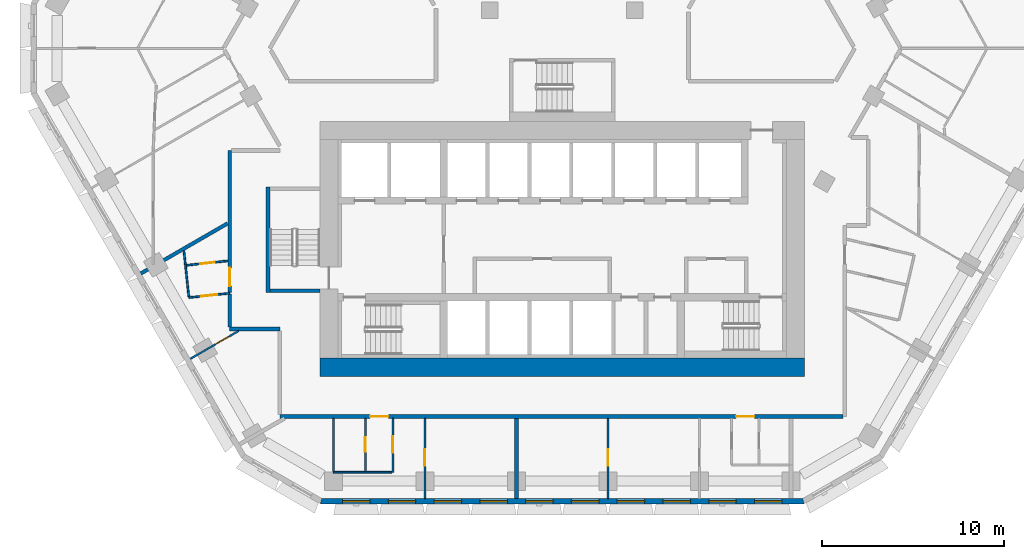
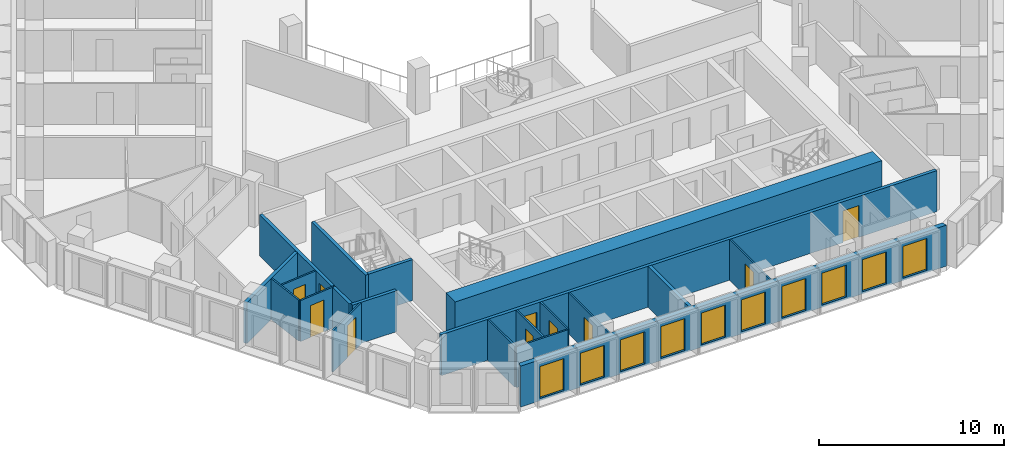
# One storey, part 3 of 18: 20 walls, 10 doors, 10 windows, 20 openings.
"""IFC4 building model written with IfcOpenShell, lengths in metres."""

import ifcopenshell
import ifcopenshell.guid

model = None  # the IFC model being written
_history = None  # IfcOwnerHistory: only IFC2X3 demands one
_inside = {}  # id of a spatial element -> (the spatial element, [elements in it])
_under = {}  # id of a project, library or spatial element -> (it, [spatial elements below it])
_declared = {}  # id of a project -> (the project, [libraries it declares])
_typed = {}  # id of a type object -> (the type object, [elements of that type])
_made_of = {}  # id of a material, layer set ... -> (it, [elements and type objects made of it])


def new_model(schema):
    """Start an empty IFC model of exactly this schema.

    Asked for "IFC4X3", IfcOpenShell would pick the latest addendum, in which some entities
    have other attributes; the version numbers below select the first issue.
    IFC2X3 requires an IfcOwnerHistory on every rooted entity: one is made here for all.
    """
    global model, _history
    if schema == "IFC4X3":
        model = ifcopenshell.file(schema_version=(4, 3, 0, 0))
    else:
        model = ifcopenshell.file(schema=schema)
    _inside.clear()
    _under.clear()
    _declared.clear()
    _typed.clear()
    _made_of.clear()
    _history = None
    if model.schema == "IFC2X3":
        org = make("IfcOrganization", Name="unknown")
        user = make(
            "IfcPersonAndOrganization",
            ThePerson=make("IfcPerson", FamilyName="unknown"),
            TheOrganization=org,
        )
        app = make(
            "IfcApplication",
            ApplicationDeveloper=org,
            Version="unknown",
            ApplicationFullName="unknown",
            ApplicationIdentifier="unknown",
        )
        _history = make(
            "IfcOwnerHistory",
            OwningUser=user,
            OwningApplication=app,
            ChangeAction="ADDED",
            CreationDate=0,
        )
    return model


def make(cls, **values):
    """One entity of the class cls with the attributes given. An attribute that is None is left unset."""
    return model.create_entity(
        cls, **{name: value for name, value in values.items() if value is not None}
    )


def rooted(cls, **values):
    """An entity with a GlobalId (a new one), such as an element, a storey or a relation."""
    return make(cls, GlobalId=ifcopenshell.guid.new(), OwnerHistory=_history, **values)


def si_unit(unit_type, name, prefix=None):
    """IfcSIUnit, for example si_unit("LENGTHUNIT", "METRE", prefix="MILLI")."""
    return make("IfcSIUnit", UnitType=unit_type, Prefix=prefix, Name=name)


def assignment(units):
    """IfcUnitAssignment: the units of a project."""
    return None if units is None else make("IfcUnitAssignment", Units=units)


def point(xyz):
    """IfcCartesianPoint."""
    return None if xyz is None else make("IfcCartesianPoint", Coordinates=xyz)


def direction(xyz):
    """IfcDirection."""
    return None if xyz is None else make("IfcDirection", DirectionRatios=xyz)


def frame(location, z_axis=None, x_axis=None):
    """IfcAxis2Placement3D, a coordinate frame: its origin and axes. An axis left out is left unset."""
    return make(
        "IfcAxis2Placement3D",
        Location=point(location),
        Axis=direction(z_axis),
        RefDirection=direction(x_axis),
    )


def frame_2d(location, x_axis=None):
    """IfcAxis2Placement2D, a coordinate frame in the plane: its origin and x axis."""
    return make(
        "IfcAxis2Placement2D", Location=point(location), RefDirection=direction(x_axis)
    )


def origin():
    """The frame at (0, 0, 0) with its axes left unset."""
    return frame((0.0, 0.0, 0.0))


def place(relative_to, where):
    """IfcLocalPlacement: puts the frame where relative to a parent placement (None: the world)."""
    return make(
        "IfcLocalPlacement", PlacementRelTo=relative_to, RelativePlacement=where
    )


def context(
    kind, dimensions, precision=None, world=None, true_north=None, identifier=None
):
    """IfcGeometricRepresentationContext, for example the 3D "Model" context."""
    return make(
        "IfcGeometricRepresentationContext",
        ContextIdentifier=identifier,
        ContextType=kind,
        CoordinateSpaceDimension=dimensions,
        Precision=precision,
        WorldCoordinateSystem=world,
        TrueNorth=true_north,
    )


def subcontext(parent, identifier, kind, view, scale=None):
    """IfcGeometricRepresentationSubContext, for example "Body" below "Model"."""
    return make(
        "IfcGeometricRepresentationSubContext",
        ContextIdentifier=identifier,
        ContextType=kind,
        ParentContext=parent,
        TargetScale=scale,
        TargetView=view,
    )


def project(units=None, contexts=None):
    """IfcProject with its units and contexts."""
    return rooted(
        "IfcProject",
        Name="project",
        RepresentationContexts=contexts,
        UnitsInContext=assignment(units),
    )


def spatial(cls, under=None, at=None, **own):
    """A site, building, storey or space (cls), placed at a placement, below another one or the project."""
    s = rooted(cls, ObjectPlacement=at, **own)
    if under is not None:
        _under.setdefault(under.id(), (under, []))[1].append(s)
    return s


def polyline(points):
    """IfcPolyline through the points."""
    return make("IfcPolyline", Points=[point(p) for p in points])


def profile(cls, at=None, kind="AREA", **sizes):
    """A parametric profile (cls). Its sizes go by their IFC names, for example OverallWidth=200.0."""
    return make(cls, ProfileType=kind, Position=at, **sizes)


def rectangle(**sizes):
    """IfcRectangleProfileDef."""
    return profile("IfcRectangleProfileDef", **sizes)


def outline(outer, holes=None, kind="AREA"):
    """IfcArbitraryClosedProfileDef: a profile drawn as a closed curve; with holes, ...WithVoids."""
    if holes is None:
        return make("IfcArbitraryClosedProfileDef", ProfileType=kind, OuterCurve=outer)
    return make(
        "IfcArbitraryProfileDefWithVoids",
        ProfileType=kind,
        OuterCurve=outer,
        InnerCurves=holes,
    )


def extrude(swept, where, along, depth):
    """IfcExtrudedAreaSolid: the profile swept, set in the frame where, extruded along a direction by depth."""
    return make(
        "IfcExtrudedAreaSolid",
        SweptArea=swept,
        Position=where,
        ExtrudedDirection=direction(along),
        Depth=depth,
    )


def shape(context_of_items, identifier, shape_type, items):
    """IfcShapeRepresentation: the items that make up one representation, for example the "Body"."""
    return make(
        "IfcShapeRepresentation",
        ContextOfItems=context_of_items,
        RepresentationIdentifier=identifier,
        RepresentationType=shape_type,
        Items=items,
    )


def material(Name=None, Category=None):
    """IfcMaterial."""
    return make("IfcMaterial", Name=Name, Category=Category)


def layer(
    of_material, thickness, ventilated=None, Name=None, Category=None, Priority=None
):
    """IfcMaterialLayer: one layer of a wall or slab, of a material (None: an air gap)."""
    return make(
        "IfcMaterialLayer",
        Material=of_material,
        LayerThickness=thickness,
        IsVentilated=ventilated,
        Name=Name,
        Category=Category,
        Priority=Priority,
    )


def layer_set(layers, Name=None):
    """IfcMaterialLayerSet."""
    return make("IfcMaterialLayerSet", MaterialLayers=layers, LayerSetName=Name)


def made_of(thing, what):
    """Note that an element or type object is made of a material, layer set ...; save() writes the relation."""
    if what is not None:
        _made_of.setdefault(what.id(), (what, []))[1].append(thing)
    return thing


def type_object(cls, material=None, **own):
    """A type object (cls), such as IfcWallType, which elements share."""
    return made_of(rooted(cls, **own), material)


def element(
    cls,
    number,
    at=None,
    inside=None,
    cuts=None,
    type_object=None,
    material=None,
    context=None,
    identifier="Body",
    shape_type=None,
    held_by="IfcProductDefinitionShape",
    body=None,
    shapes=None,
    **own,
):
    """One element of the class cls, such as IfcWall. Its Tag is "e" and its number.

    at: its placement. inside: the storey or other place that contains it. cuts: it is an
    opening in that element (IfcRelVoidsElement). A single representation is given by context,
    identifier, shape_type and body (its items); several are given by shapes. held_by: the class
    of the entity that holds the representations. save() writes the other relations.
    """
    e = rooted(cls, Tag="e%d" % number, ObjectPlacement=at, **own)
    if body is not None:
        shapes = [shape(context, identifier, shape_type, body)]
    if shapes is not None:
        e.Representation = make(held_by, Representations=shapes)
    if inside is not None:
        _inside.setdefault(inside.id(), (inside, []))[1].append(e)
    if cuts is not None:
        rooted(
            "IfcRelVoidsElement", RelatingBuildingElement=cuts, RelatedOpeningElement=e
        )
    if type_object is not None:
        _typed.setdefault(type_object.id(), (type_object, []))[1].append(e)
    return made_of(e, material)


def fill(opening, filler):
    """IfcRelFillsElement: the door or window that sits in an opening."""
    return rooted(
        "IfcRelFillsElement",
        RelatingOpeningElement=opening,
        RelatedBuildingElement=filler,
    )


def aggregate(whole, parts):
    """IfcRelAggregates: a whole, such as a stair, and the parts it consists of."""
    return rooted("IfcRelAggregates", RelatingObject=whole, RelatedObjects=parts)


def save(model, path):
    """Write the relations noted so far, then the file.

    IfcRelAggregates (storeys below a building ...), IfcRelContainedInSpatialStructure (elements
    in a storey), IfcRelDefinesByType, IfcRelAssociatesMaterial and IfcRelDeclares: one each for
    every whole, place, type object, material and project.
    """
    for whole, parts in _under.values():
        aggregate(whole, parts)
    for where, things in _inside.values():
        rooted(
            "IfcRelContainedInSpatialStructure",
            RelatedElements=things,
            RelatingStructure=where,
        )
    for kind, things in _typed.values():
        rooted("IfcRelDefinesByType", RelatedObjects=things, RelatingType=kind)
    for what, things in _made_of.values():
        rooted("IfcRelAssociatesMaterial", RelatedObjects=things, RelatingMaterial=what)
    for by, libraries in _declared.values():
        rooted("IfcRelDeclares", RelatingContext=by, RelatedDefinitions=libraries)
    model.write(path)


model = new_model("IFC4")

# Units and contexts
model_context = context("Model", 3, precision=1e-05, world=origin(), true_north=direction((0.0, 1.0)))
body_context = subcontext(model_context, "Body", "Model", "MODEL_VIEW")
ifc_project = project(units=[si_unit("LENGTHUNIT", "METRE"), si_unit("AREAUNIT", "SQUARE_METRE"), si_unit("VOLUMEUNIT", "CUBIC_METRE"), si_unit("PLANEANGLEUNIT", "RADIAN"), si_unit("MASSUNIT", "GRAM", prefix="KILO")], contexts=[model_context])

# Site, building, storey
site_placement = place(None, origin())
site = spatial("IfcSite", under=ifc_project, at=site_placement, CompositionType="ELEMENT")
building_placement = place(site_placement, origin())
building = spatial("IfcBuilding", under=site, at=building_placement, Name="Beryl Residences", CompositionType="ELEMENT")
storey_placement = place(building_placement, frame((0.0, 0.0, 81.0)))
storey = spatial("IfcBuildingStorey", under=building, at=storey_placement, Name="L24", CompositionType="ELEMENT", Elevation=81.0)

# Wall, openings, windows
ifc_material_1 = material(Name="Composite metal panel with mineral wool insulation")
ifc_layer_1 = layer(ifc_material_1, 0.300048828125)
ifc_layer_set_1 = layer_set([ifc_layer_1], Name="ES1 pale metal composite panel wall 300 mm")
wall_type_1 = type_object("IfcWallType", Name="ES1 pale metal composite panel wall 300 mm", PredefinedType="SOLIDWALL", material=ifc_layer_set_1)
wall_1_placement = place(storey_placement, frame((-13.279052734375, -25.85009765625, 0.0), z_axis=(0.0, 0.0, 1.0), x_axis=(1.0, 0.0, 0.0)))
wall_1 = element("IfcWall", 1, at=wall_1_placement, inside=storey, type_object=wall_type_1, Name="ES1 external wall L24 S", PredefinedType="SOLIDWALL", context=body_context, shape_type="SweptSolid", body=[
    extrude(outline(polyline([(0.0, -0.14990234375), (26.55810546875, -0.14990234375), (26.477783203125, 0.14990234375), (0.080322265625, 0.14990234375), (0.0, -0.14990234375)])), origin(), (0.0, 0.0, 1.0), 2.699951171875),
])
opening_1_placement = place(wall_1_placement, frame((1.22802734375, 0.0, 0.14990234375)))
opening_1 = element("IfcOpeningElement", 2, at=opening_1_placement, cuts=wall_1, Name="Opening W1", PredefinedType="OPENING", context=body_context, shape_type="SweptSolid", body=[
    extrude(rectangle(XDim=1.5, YDim=2.10009765625, at=frame_2d((0.75, 1.050048828125))), frame((0.0, 0.159912109375, 0.0), z_axis=(0.0, -1.0, 0.0), x_axis=(1.0, 0.0, 0.0)), (0.0, 0.0, 1.0), 0.320068359375),
])
opening_2_placement = place(wall_1_placement, frame((3.739013671875, 0.0, 0.14990234375)))
opening_2 = element("IfcOpeningElement", 3, at=opening_2_placement, cuts=wall_1, Name="Opening W1", PredefinedType="OPENING", context=body_context, shape_type="SweptSolid", body=[
    extrude(rectangle(XDim=1.5, YDim=2.10009765625, at=frame_2d((0.75, 1.050048828125))), frame((0.0, 0.159912109375, 0.0), z_axis=(0.0, -1.0, 0.0), x_axis=(1.0, 0.0, 0.0)), (0.0, 0.0, 1.0), 0.320068359375),
])
opening_3_placement = place(wall_1_placement, frame((6.2509765625, 0.0, 0.14990234375)))
opening_3 = element("IfcOpeningElement", 4, at=opening_3_placement, cuts=wall_1, Name="Opening W1", PredefinedType="OPENING", context=body_context, shape_type="SweptSolid", body=[
    extrude(rectangle(XDim=1.5, YDim=2.10009765625, at=frame_2d((0.75, 1.050048828125))), frame((0.0, 0.159912109375, 0.0), z_axis=(0.0, -1.0, 0.0), x_axis=(1.0, 0.0, 0.0)), (0.0, 0.0, 1.0), 0.320068359375),
])
opening_4_placement = place(wall_1_placement, frame((8.761962890625, 0.0, 0.14990234375)))
opening_4 = element("IfcOpeningElement", 5, at=opening_4_placement, cuts=wall_1, Name="Opening W1", PredefinedType="OPENING", context=body_context, shape_type="SweptSolid", body=[
    extrude(rectangle(XDim=1.5, YDim=2.10009765625, at=frame_2d((0.75, 1.050048828125))), frame((0.0, 0.159912109375, 0.0), z_axis=(0.0, -1.0, 0.0), x_axis=(1.0, 0.0, 0.0)), (0.0, 0.0, 1.0), 0.320068359375),
])
opening_5_placement = place(wall_1_placement, frame((11.27392578125, 0.0, 0.14990234375)))
opening_5 = element("IfcOpeningElement", 6, at=opening_5_placement, cuts=wall_1, Name="Opening W1", PredefinedType="OPENING", context=body_context, shape_type="SweptSolid", body=[
    extrude(rectangle(XDim=1.5, YDim=2.10009765625, at=frame_2d((0.75, 1.050048828125))), frame((0.0, 0.159912109375, 0.0), z_axis=(0.0, -1.0, 0.0), x_axis=(1.0, 0.0, 0.0)), (0.0, 0.0, 1.0), 0.320068359375),
])
opening_6_placement = place(wall_1_placement, frame((13.784912109375, 0.0, 0.14990234375)))
opening_6 = element("IfcOpeningElement", 7, at=opening_6_placement, cuts=wall_1, Name="Opening W1", PredefinedType="OPENING", context=body_context, shape_type="SweptSolid", body=[
    extrude(rectangle(XDim=1.5, YDim=2.10009765625, at=frame_2d((0.75, 1.050048828125))), frame((0.0, 0.159912109375, 0.0), z_axis=(0.0, -1.0, 0.0), x_axis=(1.0, 0.0, 0.0)), (0.0, 0.0, 1.0), 0.320068359375),
])
opening_7_placement = place(wall_1_placement, frame((16.297119140625, 0.0, 0.14990234375)))
opening_7 = element("IfcOpeningElement", 8, at=opening_7_placement, cuts=wall_1, Name="Opening W1", PredefinedType="OPENING", context=body_context, shape_type="SweptSolid", body=[
    extrude(rectangle(XDim=1.5, YDim=2.10009765625, at=frame_2d((0.75, 1.050048828125))), frame((0.0, 0.159912109375, 0.0), z_axis=(0.0, -1.0, 0.0), x_axis=(1.0, 0.0, 0.0)), (0.0, 0.0, 1.0), 0.320068359375),
])
opening_8_placement = place(wall_1_placement, frame((18.80810546875, 0.0, 0.14990234375)))
opening_8 = element("IfcOpeningElement", 9, at=opening_8_placement, cuts=wall_1, Name="Opening W1", PredefinedType="OPENING", context=body_context, shape_type="SweptSolid", body=[
    extrude(rectangle(XDim=1.5, YDim=2.10009765625, at=frame_2d((0.75, 1.050048828125))), frame((0.0, 0.159912109375, 0.0), z_axis=(0.0, -1.0, 0.0), x_axis=(1.0, 0.0, 0.0)), (0.0, 0.0, 1.0), 0.320068359375),
])
opening_9_placement = place(wall_1_placement, frame((21.320068359375, 0.0, 0.14990234375)))
opening_9 = element("IfcOpeningElement", 10, at=opening_9_placement, cuts=wall_1, Name="Opening W1", PredefinedType="OPENING", context=body_context, shape_type="SweptSolid", body=[
    extrude(rectangle(XDim=1.5, YDim=2.10009765625, at=frame_2d((0.75, 1.050048828125))), frame((0.0, 0.159912109375, 0.0), z_axis=(0.0, -1.0, 0.0), x_axis=(1.0, 0.0, 0.0)), (0.0, 0.0, 1.0), 0.320068359375),
])
opening_10_placement = place(wall_1_placement, frame((23.8310546875, 0.0, 0.14990234375)))
opening_10 = element("IfcOpeningElement", 11, at=opening_10_placement, cuts=wall_1, Name="Opening W1", PredefinedType="OPENING", context=body_context, shape_type="SweptSolid", body=[
    extrude(rectangle(XDim=1.5, YDim=2.10009765625, at=frame_2d((0.75, 1.050048828125))), frame((0.0, 0.159912109375, 0.0), z_axis=(0.0, -1.0, 0.0), x_axis=(1.0, 0.0, 0.0)), (0.0, 0.0, 1.0), 0.320068359375),
])
ifc_material_2 = material(Name="Aluminium and clear glass", Category="aluminium")
window_type = type_object("IfcWindowType", Name="W1 cell window 1500 x 2100 mm", PartitioningType="SINGLE_PANEL", PredefinedType="WINDOW", material=ifc_material_2)
window_1_placement = place(opening_1_placement, origin())
window_1 = element("IfcWindow", 12, at=window_1_placement, inside=storey, type_object=window_type, Name="W1 window L24 S 1", OverallHeight=2.10009765625, OverallWidth=1.5, PartitioningType="SINGLE_PANEL", PredefinedType="WINDOW", context=body_context, shape_type="SweptSolid", body=[
    extrude(rectangle(XDim=1.5, YDim=2.10009765625, at=frame_2d((0.75, 1.050048828125))), frame((0.0, 0.030029296875, 0.0), z_axis=(0.0, -1.0, 0.0), x_axis=(1.0, 0.0, 0.0)), (0.0, 0.0, 1.0), 0.06005859375),
])
fill(opening_1, window_1)
window_2_placement = place(opening_2_placement, origin())
window_2 = element("IfcWindow", 13, at=window_2_placement, inside=storey, type_object=window_type, Name="W1 window L24 S 2", OverallHeight=2.10009765625, OverallWidth=1.5, PartitioningType="SINGLE_PANEL", PredefinedType="WINDOW", context=body_context, shape_type="SweptSolid", body=[
    extrude(rectangle(XDim=1.5, YDim=2.10009765625, at=frame_2d((0.75, 1.050048828125))), frame((0.0, 0.030029296875, 0.0), z_axis=(0.0, -1.0, 0.0), x_axis=(1.0, 0.0, 0.0)), (0.0, 0.0, 1.0), 0.06005859375),
])
fill(opening_2, window_2)
window_3_placement = place(opening_3_placement, origin())
window_3 = element("IfcWindow", 14, at=window_3_placement, inside=storey, type_object=window_type, Name="W1 window L24 S 3", OverallHeight=2.10009765625, OverallWidth=1.5, PartitioningType="SINGLE_PANEL", PredefinedType="WINDOW", context=body_context, shape_type="SweptSolid", body=[
    extrude(rectangle(XDim=1.5, YDim=2.10009765625, at=frame_2d((0.75, 1.050048828125))), frame((0.0, 0.030029296875, 0.0), z_axis=(0.0, -1.0, 0.0), x_axis=(1.0, 0.0, 0.0)), (0.0, 0.0, 1.0), 0.06005859375),
])
fill(opening_3, window_3)
window_4_placement = place(opening_4_placement, origin())
window_4 = element("IfcWindow", 15, at=window_4_placement, inside=storey, type_object=window_type, Name="W1 window L24 S 4", OverallHeight=2.10009765625, OverallWidth=1.5, PartitioningType="SINGLE_PANEL", PredefinedType="WINDOW", context=body_context, shape_type="SweptSolid", body=[
    extrude(rectangle(XDim=1.5, YDim=2.10009765625, at=frame_2d((0.75, 1.050048828125))), frame((0.0, 0.030029296875, 0.0), z_axis=(0.0, -1.0, 0.0), x_axis=(1.0, 0.0, 0.0)), (0.0, 0.0, 1.0), 0.06005859375),
])
fill(opening_4, window_4)
window_5_placement = place(opening_5_placement, origin())
window_5 = element("IfcWindow", 16, at=window_5_placement, inside=storey, type_object=window_type, Name="W1 window L24 S 5", OverallHeight=2.10009765625, OverallWidth=1.5, PartitioningType="SINGLE_PANEL", PredefinedType="WINDOW", context=body_context, shape_type="SweptSolid", body=[
    extrude(rectangle(XDim=1.5, YDim=2.10009765625, at=frame_2d((0.75, 1.050048828125))), frame((0.0, 0.030029296875, 0.0), z_axis=(0.0, -1.0, 0.0), x_axis=(1.0, 0.0, 0.0)), (0.0, 0.0, 1.0), 0.06005859375),
])
fill(opening_5, window_5)
window_6_placement = place(opening_6_placement, origin())
window_6 = element("IfcWindow", 17, at=window_6_placement, inside=storey, type_object=window_type, Name="W1 window L24 S 6", OverallHeight=2.10009765625, OverallWidth=1.5, PartitioningType="SINGLE_PANEL", PredefinedType="WINDOW", context=body_context, shape_type="SweptSolid", body=[
    extrude(rectangle(XDim=1.5, YDim=2.10009765625, at=frame_2d((0.75, 1.050048828125))), frame((0.0, 0.030029296875, 0.0), z_axis=(0.0, -1.0, 0.0), x_axis=(1.0, 0.0, 0.0)), (0.0, 0.0, 1.0), 0.06005859375),
])
fill(opening_6, window_6)
window_7_placement = place(opening_7_placement, origin())
window_7 = element("IfcWindow", 18, at=window_7_placement, inside=storey, type_object=window_type, Name="W1 window L24 S 7", OverallHeight=2.10009765625, OverallWidth=1.5, PartitioningType="SINGLE_PANEL", PredefinedType="WINDOW", context=body_context, shape_type="SweptSolid", body=[
    extrude(rectangle(XDim=1.5, YDim=2.10009765625, at=frame_2d((0.75, 1.050048828125))), frame((0.0, 0.030029296875, 0.0), z_axis=(0.0, -1.0, 0.0), x_axis=(1.0, 0.0, 0.0)), (0.0, 0.0, 1.0), 0.06005859375),
])
fill(opening_7, window_7)
window_8_placement = place(opening_8_placement, origin())
window_8 = element("IfcWindow", 19, at=window_8_placement, inside=storey, type_object=window_type, Name="W1 window L24 S 8", OverallHeight=2.10009765625, OverallWidth=1.5, PartitioningType="SINGLE_PANEL", PredefinedType="WINDOW", context=body_context, shape_type="SweptSolid", body=[
    extrude(rectangle(XDim=1.5, YDim=2.10009765625, at=frame_2d((0.75, 1.050048828125))), frame((0.0, 0.030029296875, 0.0), z_axis=(0.0, -1.0, 0.0), x_axis=(1.0, 0.0, 0.0)), (0.0, 0.0, 1.0), 0.06005859375),
])
fill(opening_8, window_8)
window_9_placement = place(opening_9_placement, origin())
window_9 = element("IfcWindow", 20, at=window_9_placement, inside=storey, type_object=window_type, Name="W1 window L24 S 9", OverallHeight=2.10009765625, OverallWidth=1.5, PartitioningType="SINGLE_PANEL", PredefinedType="WINDOW", context=body_context, shape_type="SweptSolid", body=[
    extrude(rectangle(XDim=1.5, YDim=2.10009765625, at=frame_2d((0.75, 1.050048828125))), frame((0.0, 0.030029296875, 0.0), z_axis=(0.0, -1.0, 0.0), x_axis=(1.0, 0.0, 0.0)), (0.0, 0.0, 1.0), 0.06005859375),
])
fill(opening_9, window_9)
window_10_placement = place(opening_10_placement, origin())
window_10 = element("IfcWindow", 21, at=window_10_placement, inside=storey, type_object=window_type, Name="W1 window L24 S 10", OverallHeight=2.10009765625, OverallWidth=1.5, PartitioningType="SINGLE_PANEL", PredefinedType="WINDOW", context=body_context, shape_type="SweptSolid", body=[
    extrude(rectangle(XDim=1.5, YDim=2.10009765625, at=frame_2d((0.75, 1.050048828125))), frame((0.0, 0.030029296875, 0.0), z_axis=(0.0, -1.0, 0.0), x_axis=(1.0, 0.0, 0.0)), (0.0, 0.0, 1.0), 0.06005859375),
])
fill(opening_10, window_10)

# Wall
ifc_material_3 = material(Name="Gypsum board partition on steel studs", Category="steel")
ifc_layer_2 = layer(ifc_material_3, 0.10009765625)
ifc_layer_set_2 = layer_set([ifc_layer_2], Name="PT1 partition 100 mm gypsum board on steel studs")
wall_type_2 = type_object("IfcWallType", Name="PT1 partition 100 mm gypsum board on steel studs", PredefinedType="PARTITIONING", material=ifc_layer_set_2)
wall_2_placement = place(storey_placement, frame((-20.761962890625, -12.10205078125, 0.0), z_axis=(0.0, 0.0, 1.0), x_axis=(0.106118300401, -0.994353511745, 0.0)))
element("IfcWall", 22, at=wall_2_placement, inside=storey, type_object=wall_type_2, Name="Wall PT1 L24 010", PredefinedType="PARTITIONING", context=body_context, shape_type="SweptSolid", body=[
    extrude(rectangle(XDim=2.535400390625, YDim=0.10009765625, at=frame_2d((1.267578125, 0.0))), origin(), (0.0, 0.0, 1.0), 2.699951171875),
])

# Wall, opening, door
wall_3_placement = place(storey_placement, frame((-7.533935546875, -21.300048828125, 0.0), z_axis=(0.0, 0.0, 1.0), x_axis=(0.0, -1.0, 0.0)))
wall_3 = element("IfcWall", 23, at=wall_3_placement, inside=storey, type_object=wall_type_2, Name="Wall PT1 L24 014", PredefinedType="PARTITIONING", context=body_context, shape_type="SweptSolid", body=[
    extrude(rectangle(XDim=4.39990234375, YDim=0.10009765625, at=frame_2d((2.199951171875, 0.0))), origin(), (0.0, 0.0, 1.0), 2.699951171875),
])
opening_11_placement = place(wall_3_placement, frame((1.699951171875, 0.0, 0.0)))
opening_11 = element("IfcOpeningElement", 24, at=opening_11_placement, cuts=wall_3, Name="Opening D0632", PredefinedType="OPENING", context=body_context, shape_type="SweptSolid", body=[
    extrude(rectangle(XDim=0.89990234375, YDim=2.10009765625, at=frame_2d((0.449951171875, 1.050048828125))), frame((0.0, 0.06005859375, 0.0), z_axis=(0.0, -1.0, 0.0), x_axis=(1.0, 0.0, 0.0)), (0.0, 0.0, 1.0), 0.1201171875),
])
ifc_material_4 = material(Name="Timber door leaf", Category="wood")
door_type_1 = type_object("IfcDoorType", Name="D2 room door 900 x 2100 mm", OperationType="SINGLE_SWING_LEFT", PredefinedType="DOOR", material=ifc_material_4)
door_1_placement = place(opening_11_placement, origin())
door_1 = element("IfcDoor", 25, at=door_1_placement, inside=storey, type_object=door_type_1, Name="Door D0632 L24 001", OperationType="SINGLE_SWING_RIGHT", OverallHeight=2.10009765625, OverallWidth=0.89990234375, PredefinedType="DOOR", context=body_context, shape_type="SweptSolid", body=[
    extrude(rectangle(XDim=0.89990234375, YDim=2.10009765625, at=frame_2d((0.449951171875, 1.050048828125))), frame((0.0, 0.02490234375, 0.0), z_axis=(0.0, -1.0, 0.0), x_axis=(1.0, 0.0, 0.0)), (0.0, 0.0, 1.0), 0.050048828125),
])
fill(opening_11, door_1)

# Walls
wall_4_placement = place(storey_placement, frame((-12.556884765625, -21.300048828125, 0.0), z_axis=(0.0, 0.0, 1.0), x_axis=(0.0, -1.0, 0.0)))
element("IfcWall", 26, at=wall_4_placement, inside=storey, type_object=wall_type_2, Name="Wall PT1 L24 015", PredefinedType="PARTITIONING", context=body_context, shape_type="SweptSolid", body=[
    extrude(rectangle(XDim=2.908935546875, YDim=0.10009765625, at=frame_2d((1.45458984375, 0.0))), origin(), (0.0, 0.0, 1.0), 2.699951171875),
])
wall_5_placement = place(storey_placement, frame((-12.555908203125, -24.260009765625, 0.0), z_axis=(0.0, 0.0, 1.0), x_axis=(1.0, 0.0, 0.0)))
element("IfcWall", 27, at=wall_5_placement, inside=storey, type_object=wall_type_2, Name="Wall PT1 L24 035", PredefinedType="PARTITIONING", context=body_context, shape_type="SweptSolid", body=[
    extrude(rectangle(XDim=3.212890625, YDim=0.10009765625, at=frame_2d((1.6064453125, 0.0))), origin(), (0.0, 0.0, 1.0), 2.699951171875),
])

# Wall, opening, door
wall_6_placement = place(storey_placement, frame((-20.6259765625, -12.902099609375, 0.0), z_axis=(0.0, 0.0, 1.0), x_axis=(0.994385570266, 0.105817473257, 0.0)))
wall_6 = element("IfcWall", 28, at=wall_6_placement, inside=storey, type_object=wall_type_2, Name="Wall PT1 L24 038", PredefinedType="PARTITIONING", context=body_context, shape_type="SweptSolid", body=[
    extrude(rectangle(XDim=2.288818359375, YDim=0.10009765625, at=frame_2d((1.14453125, 0.0))), origin(), (0.0, 0.0, 1.0), 2.699951171875),
])
opening_12_placement = place(wall_6_placement, frame((0.77001953125, 0.0, 0.0)))
opening_12 = element("IfcOpeningElement", 29, at=opening_12_placement, cuts=wall_6, Name="Opening D0627", PredefinedType="OPENING", context=body_context, shape_type="SweptSolid", body=[
    extrude(rectangle(XDim=0.800048828125, YDim=2.10009765625, at=frame_2d((0.39990234375, 1.050048828125))), frame((0.0, 0.06005859375, 0.0), z_axis=(0.0, -1.0, 0.0), x_axis=(1.0, 0.0, 0.0)), (0.0, 0.0, 1.0), 0.1201171875),
])
ifc_material_5 = material(Name="Timber door leaf", Category="wood")
door_type_2 = type_object("IfcDoorType", Name="D3 bathroom door 800 x 2100 mm", OperationType="SINGLE_SWING_LEFT", PredefinedType="DOOR", material=ifc_material_5)
door_2_placement = place(opening_12_placement, origin())
door_2 = element("IfcDoor", 30, at=door_2_placement, inside=storey, type_object=door_type_2, Name="Door D0627 L24 001", OperationType="SINGLE_SWING_LEFT", OverallHeight=2.10009765625, OverallWidth=0.800048828125, PredefinedType="DOOR", context=body_context, shape_type="SweptSolid", body=[
    extrude(rectangle(XDim=0.800048828125, YDim=2.10009765625, at=frame_2d((0.39990234375, 1.050048828125))), frame((0.0, 0.02490234375, 0.0), z_axis=(0.0, -1.0, 0.0), x_axis=(1.0, 0.0, 0.0)), (0.0, 0.0, 1.0), 0.050048828125),
])
fill(opening_12, door_2)

wall_7_placement = place(storey_placement, frame((-20.487060546875, -14.674072265625, 0.0), z_axis=(0.0, 0.0, 1.0), x_axis=(0.994386484046, 0.105808885948, 0.0)))
wall_7 = element("IfcWall", 31, at=wall_7_placement, inside=storey, type_object=wall_type_2, Name="Wall PT1 L24 039", PredefinedType="PARTITIONING", context=body_context, shape_type="SweptSolid", body=[
    extrude(rectangle(XDim=2.249755859375, YDim=0.10009765625, at=frame_2d((1.125, 0.0))), origin(), (0.0, 0.0, 1.0), 2.699951171875),
])
opening_13_placement = place(wall_7_placement, frame((0.674072265625, 0.0, 0.0)))
opening_13 = element("IfcOpeningElement", 32, at=opening_13_placement, cuts=wall_7, Name="Opening D0626", PredefinedType="OPENING", context=body_context, shape_type="SweptSolid", body=[
    extrude(rectangle(XDim=0.89990234375, YDim=2.10009765625, at=frame_2d((0.449951171875, 1.050048828125))), frame((0.0, 0.06005859375, 0.0), z_axis=(0.0, -1.0, 0.0), x_axis=(1.0, 0.0, 0.0)), (0.0, 0.0, 1.0), 0.1201171875),
])
door_3_placement = place(opening_13_placement, origin())
door_3 = element("IfcDoor", 33, at=door_3_placement, inside=storey, type_object=door_type_1, Name="Door D0626 L24 001", OperationType="SINGLE_SWING_RIGHT", OverallHeight=2.10009765625, OverallWidth=0.89990234375, PredefinedType="DOOR", context=body_context, shape_type="SweptSolid", body=[
    extrude(rectangle(XDim=0.89990234375, YDim=2.10009765625, at=frame_2d((0.449951171875, 1.050048828125))), frame((0.0, 0.02490234375, 0.0), z_axis=(0.0, -1.0, 0.0), x_axis=(1.0, 0.0, 0.0)), (0.0, 0.0, 1.0), 0.050048828125),
])
fill(opening_13, door_3)

wall_8_placement = place(storey_placement, frame((2.511962890625, -25.699951171875, 0.0), z_axis=(0.0, 0.0, 1.0), x_axis=(0.0, 1.0, 0.0)))
wall_8 = element("IfcWall", 34, at=wall_8_placement, inside=storey, type_object=wall_type_2, Name="Wall PT1 L24 059", PredefinedType="PARTITIONING", context=body_context, shape_type="SweptSolid", body=[
    extrude(rectangle(XDim=4.39990234375, YDim=0.10009765625, at=frame_2d((2.199951171875, 0.0))), origin(), (0.0, 0.0, 1.0), 2.699951171875),
])
opening_14_placement = place(wall_8_placement, frame((1.800048828125, 0.0, 0.0)))
opening_14 = element("IfcOpeningElement", 35, at=opening_14_placement, cuts=wall_8, Name="Opening D0637", PredefinedType="OPENING", context=body_context, shape_type="SweptSolid", body=[
    extrude(rectangle(XDim=0.89990234375, YDim=2.10009765625, at=frame_2d((0.449951171875, 1.050048828125))), frame((0.0, 0.06005859375, 0.0), z_axis=(0.0, -1.0, 0.0), x_axis=(1.0, 0.0, 0.0)), (0.0, 0.0, 1.0), 0.1201171875),
])
door_4_placement = place(opening_14_placement, origin())
door_4 = element("IfcDoor", 36, at=door_4_placement, inside=storey, type_object=door_type_1, Name="Door D0637 L24 001", OperationType="SINGLE_SWING_LEFT", OverallHeight=2.10009765625, OverallWidth=0.89990234375, PredefinedType="DOOR", context=body_context, shape_type="SweptSolid", body=[
    extrude(rectangle(XDim=0.89990234375, YDim=2.10009765625, at=frame_2d((0.449951171875, 1.050048828125))), frame((0.0, 0.02490234375, 0.0), z_axis=(0.0, -1.0, 0.0), x_axis=(1.0, 0.0, 0.0)), (0.0, 0.0, 1.0), 0.050048828125),
])
fill(opening_14, door_4)

wall_9_placement = place(storey_placement, frame((-9.2919921875, -24.259033203125, 0.0), z_axis=(0.0, 0.0, 1.0), x_axis=(0.0, 1.0, 0.0)))
wall_9 = element("IfcWall", 37, at=wall_9_placement, inside=storey, type_object=wall_type_2, Name="Wall PT1 L24 062", PredefinedType="PARTITIONING", context=body_context, shape_type="SweptSolid", body=[
    extrude(rectangle(XDim=2.958984375, YDim=0.10009765625, at=frame_2d((1.4794921875, 0.0))), origin(), (0.0, 0.0, 1.0), 2.699951171875),
])
opening_15_placement = place(wall_9_placement, frame((1.0791015625, 0.0, 0.0)))
opening_15 = element("IfcOpeningElement", 38, at=opening_15_placement, cuts=wall_9, Name="Opening D0630", PredefinedType="OPENING", context=body_context, shape_type="SweptSolid", body=[
    extrude(rectangle(XDim=0.89990234375, YDim=2.10009765625, at=frame_2d((0.449951171875, 1.050048828125))), frame((0.0, 0.06005859375, 0.0), z_axis=(0.0, -1.0, 0.0), x_axis=(1.0, 0.0, 0.0)), (0.0, 0.0, 1.0), 0.1201171875),
])
door_5_placement = place(opening_15_placement, origin())
door_5 = element("IfcDoor", 39, at=door_5_placement, inside=storey, type_object=door_type_1, Name="Door D0630 L24 001", OperationType="SINGLE_SWING_RIGHT", OverallHeight=2.10009765625, OverallWidth=0.89990234375, PredefinedType="DOOR", context=body_context, shape_type="SweptSolid", body=[
    extrude(rectangle(XDim=0.89990234375, YDim=2.10009765625, at=frame_2d((0.449951171875, 1.050048828125))), frame((0.0, 0.02490234375, 0.0), z_axis=(0.0, -1.0, 0.0), x_axis=(1.0, 0.0, 0.0)), (0.0, 0.0, 1.0), 0.050048828125),
])
fill(opening_15, door_5)

wall_10_placement = place(storey_placement, frame((-10.799072265625, -24.2099609375, 0.0), z_axis=(0.0, 0.0, 1.0), x_axis=(0.0, 1.0, 0.0)))
wall_10 = element("IfcWall", 40, at=wall_10_placement, inside=storey, type_object=wall_type_2, Name="Wall PT1 L24 063", PredefinedType="PARTITIONING", context=body_context, shape_type="SweptSolid", body=[
    extrude(rectangle(XDim=2.909912109375, YDim=0.10009765625, at=frame_2d((1.455078125, 0.0))), origin(), (0.0, 0.0, 1.0), 2.699951171875),
])
opening_16_placement = place(wall_10_placement, frame((1.080078125, 0.0, 0.0)))
opening_16 = element("IfcOpeningElement", 41, at=opening_16_placement, cuts=wall_10, Name="Opening D0631", PredefinedType="OPENING", context=body_context, shape_type="SweptSolid", body=[
    extrude(rectangle(XDim=0.800048828125, YDim=2.10009765625, at=frame_2d((0.39990234375, 1.050048828125))), frame((0.0, 0.06005859375, 0.0), z_axis=(0.0, -1.0, 0.0), x_axis=(1.0, 0.0, 0.0)), (0.0, 0.0, 1.0), 0.1201171875),
])
door_6_placement = place(opening_16_placement, origin())
door_6 = element("IfcDoor", 42, at=door_6_placement, inside=storey, type_object=door_type_2, Name="Door D0631 L24 001", OperationType="SINGLE_SWING_LEFT", OverallHeight=2.10009765625, OverallWidth=0.800048828125, PredefinedType="DOOR", context=body_context, shape_type="SweptSolid", body=[
    extrude(rectangle(XDim=0.800048828125, YDim=2.10009765625, at=frame_2d((0.39990234375, 1.050048828125))), frame((0.0, 0.02490234375, 0.0), z_axis=(0.0, -1.0, 0.0), x_axis=(1.0, 0.0, 0.0)), (0.0, 0.0, 1.0), 0.050048828125),
])
fill(opening_16, door_6)

wall_11_placement = place(storey_placement, frame((-20.416015625, -18.0380859375, 0.0), z_axis=(0.0, 0.0, 1.0), x_axis=(0.866026989333, 0.499997253739, 0.0)))
wall_11 = element("IfcWall", 43, at=wall_11_placement, inside=storey, type_object=wall_type_2, Name="Wall PT1 L24 069", PredefinedType="PARTITIONING", context=body_context, shape_type="SweptSolid", body=[
    extrude(rectangle(XDim=3.076171875, YDim=0.10009765625, at=frame_2d((1.5380859375, 0.0))), origin(), (0.0, 0.0, 1.0), 2.699951171875),
])
opening_17_placement = place(wall_11_placement, frame((1.587890625, 0.0, 0.0)))
opening_17 = element("IfcOpeningElement", 44, at=opening_17_placement, cuts=wall_11, Name="Opening D0628", PredefinedType="OPENING", context=body_context, shape_type="SweptSolid", body=[
    extrude(rectangle(XDim=0.89990234375, YDim=2.10009765625, at=frame_2d((0.449951171875, 1.050048828125))), frame((0.0, 0.06005859375, 0.0), z_axis=(0.0, -1.0, 0.0), x_axis=(1.0, 0.0, 0.0)), (0.0, 0.0, 1.0), 0.1201171875),
])
door_7_placement = place(opening_17_placement, origin())
door_7 = element("IfcDoor", 45, at=door_7_placement, inside=storey, type_object=door_type_1, Name="Door D0628 L24 001", OperationType="SINGLE_SWING_RIGHT", OverallHeight=2.10009765625, OverallWidth=0.89990234375, PredefinedType="DOOR", context=body_context, shape_type="SweptSolid", body=[
    extrude(rectangle(XDim=0.89990234375, YDim=2.10009765625, at=frame_2d((0.449951171875, 1.050048828125))), frame((0.0, 0.02490234375, 0.0), z_axis=(0.0, -1.0, 0.0), x_axis=(1.0, 0.0, 0.0)), (0.0, 0.0, 1.0), 0.050048828125),
])
fill(opening_17, door_7)

# Walls
ifc_material_6 = material(Name="Acoustic double stud gypsum board wall")
ifc_layer_3 = layer(ifc_material_6, 0.199951171875)
ifc_layer_set_3 = layer_set([ifc_layer_3], Name="PT3 party wall 200 mm acoustic double stud")
wall_type_3 = type_object("IfcWallType", Name="PT3 party wall 200 mm acoustic double stud", PredefinedType="PARTITIONING", material=ifc_layer_set_3)
wall_12_placement = place(storey_placement, frame((-2.510986328125, -25.699951171875, 0.0), z_axis=(0.0, 0.0, 1.0), x_axis=(0.0, 1.0, 0.0)))
element("IfcWall", 46, at=wall_12_placement, inside=storey, type_object=wall_type_3, Name="Wall PT3 L24 008", PredefinedType="PARTITIONING", context=body_context, shape_type="SweptSolid", body=[
    extrude(rectangle(XDim=4.39990234375, YDim=0.199951171875, at=frame_2d((2.199951171875, 0.0))), origin(), (0.0, 0.0, 1.0), 2.699951171875),
])
wall_13_placement = place(storey_placement, frame((-23.123046875, -13.35009765625, 0.0), z_axis=(0.0, 0.0, 1.0), x_axis=(0.866013095437, 0.500021318078, 0.0)))
element("IfcWall", 47, at=wall_13_placement, inside=storey, type_object=wall_type_3, Name="Wall PT3 L24 011", PredefinedType="PARTITIONING", context=body_context, shape_type="SweptSolid", body=[
    extrude(rectangle(XDim=5.491943359375, YDim=0.199951171875, at=frame_2d((2.74609375, 0.0))), origin(), (0.0, 0.0, 1.0), 2.699951171875),
])
ifc_material_7 = material(Name="Double stud gypsum board wall")
ifc_layer_4 = layer(ifc_material_7, 0.199951171875)
ifc_layer_set_4 = layer_set([ifc_layer_4], Name="PT4 corridor wall 200 mm double stud")
wall_type_4 = type_object("IfcWallType", Name="PT4 corridor wall 200 mm double stud", PredefinedType="PARTITIONING", material=ifc_layer_set_4)
wall_14_placement = place(storey_placement, frame((-18.25, -14.486083984375, 0.0), z_axis=(0.0, 0.0, 1.0), x_axis=(0.0, -1.0, 0.0)))
element("IfcWall", 48, at=wall_14_placement, inside=storey, type_object=wall_type_4, Name="Wall PT4 L24 008", PredefinedType="PARTITIONING", context=body_context, shape_type="SweptSolid", body=[
    extrude(rectangle(XDim=1.81298828125, YDim=0.199951171875, at=frame_2d((0.906494140625, 0.0))), origin(), (0.0, 0.0, 1.0), 2.699951171875),
])
wall_15_placement = place(storey_placement, frame((-18.2490234375, -16.39990234375, 0.0), z_axis=(0.0, 0.0, 1.0), x_axis=(1.0, 0.0, 0.0)))
element("IfcWall", 49, at=wall_15_placement, inside=storey, type_object=wall_type_4, Name="Wall PT4 L24 015", PredefinedType="PARTITIONING", context=body_context, shape_type="SweptSolid", body=[
    extrude(rectangle(XDim=2.748046875, YDim=0.199951171875, at=frame_2d((1.3740234375, 0.0))), origin(), (0.0, 0.0, 1.0), 2.699951171875),
])

# Wall, openings, doors
wall_16_placement = place(storey_placement, frame((-15.4990234375, -21.199951171875, 0.0), z_axis=(0.0, 0.0, 1.0), x_axis=(1.0, 0.0, 0.0)))
wall_16 = element("IfcWall", 50, at=wall_16_placement, inside=storey, type_object=wall_type_4, Name="Wall PT4 L24 016", PredefinedType="PARTITIONING", context=body_context, shape_type="SweptSolid", body=[
    extrude(rectangle(XDim=30.89794921875, YDim=0.199951171875, at=frame_2d((15.448974609375, 0.0))), origin(), (0.0, 0.0, 1.0), 2.699951171875),
])
opening_18_placement = place(wall_16_placement, frame((4.9541015625, 0.0, 0.0)))
opening_18 = element("IfcOpeningElement", 51, at=opening_18_placement, cuts=wall_16, Name="Opening D0629", PredefinedType="OPENING", context=body_context, shape_type="SweptSolid", body=[
    extrude(rectangle(XDim=1.0, YDim=2.10009765625, at=frame_2d((0.5, 1.050048828125))), frame((0.0, 0.10986328125, 0.0), z_axis=(0.0, -1.0, 0.0), x_axis=(1.0, 0.0, 0.0)), (0.0, 0.0, 1.0), 0.219970703125),
])
opening_19_placement = place(wall_16_placement, frame((25.0458984375, 0.0, 0.0)))
opening_19 = element("IfcOpeningElement", 52, at=opening_19_placement, cuts=wall_16, Name="Opening D0633", PredefinedType="OPENING", context=body_context, shape_type="SweptSolid", body=[
    extrude(rectangle(XDim=1.0, YDim=2.10009765625, at=frame_2d((0.5, 1.050048828125))), frame((0.0, 0.10986328125, 0.0), z_axis=(0.0, -1.0, 0.0), x_axis=(1.0, 0.0, 0.0)), (0.0, 0.0, 1.0), 0.219970703125),
])
ifc_material_8 = material(Name="Timber door leaf", Category="wood")
door_type_3 = type_object("IfcDoorType", Name="D1 flat entrance door 1000 x 2100 mm", OperationType="SINGLE_SWING_LEFT", PredefinedType="DOOR", material=ifc_material_8)
door_8_placement = place(opening_18_placement, origin())
door_8 = element("IfcDoor", 53, at=door_8_placement, inside=storey, type_object=door_type_3, Name="Door D0629 L24 001", OperationType="SINGLE_SWING_LEFT", OverallHeight=2.10009765625, OverallWidth=1.0, PredefinedType="DOOR", context=body_context, shape_type="SweptSolid", body=[
    extrude(rectangle(XDim=1.0, YDim=2.10009765625, at=frame_2d((0.5, 1.050048828125))), frame((0.0, 0.02490234375, 0.0), z_axis=(0.0, -1.0, 0.0), x_axis=(1.0, 0.0, 0.0)), (0.0, 0.0, 1.0), 0.050048828125),
])
fill(opening_18, door_8)
door_9_placement = place(opening_19_placement, origin())
door_9 = element("IfcDoor", 54, at=door_9_placement, inside=storey, type_object=door_type_3, Name="Door D0633 L24 001", OperationType="SINGLE_SWING_LEFT", OverallHeight=2.10009765625, OverallWidth=1.0, PredefinedType="DOOR", context=body_context, shape_type="SweptSolid", body=[
    extrude(rectangle(XDim=1.0, YDim=2.10009765625, at=frame_2d((0.5, 1.050048828125))), frame((0.0, 0.02490234375, 0.0), z_axis=(0.0, -1.0, 0.0), x_axis=(1.0, 0.0, 0.0)), (0.0, 0.0, 1.0), 0.050048828125),
])
fill(opening_19, door_9)

# Wall, opening, door
wall_17_placement = place(storey_placement, frame((-18.25, -14.385986328125, 0.0), z_axis=(0.0, 0.0, 1.0), x_axis=(0.0, 1.0, 0.0)))
wall_17 = element("IfcWall", 55, at=wall_17_placement, inside=storey, type_object=wall_type_4, Name="Wall PT4 L24 033", PredefinedType="PARTITIONING", context=body_context, shape_type="SweptSolid", body=[
    extrude(rectangle(XDim=7.785888671875, YDim=0.199951171875, at=frame_2d((3.89306640625, 0.0))), origin(), (0.0, 0.0, 1.0), 2.699951171875),
])
opening_20_placement = place(wall_17_placement, frame((0.340087890625, 0.0, 0.0)))
opening_20 = element("IfcOpeningElement", 56, at=opening_20_placement, cuts=wall_17, Name="Opening D0625", PredefinedType="OPENING", context=body_context, shape_type="SweptSolid", body=[
    extrude(rectangle(XDim=1.0, YDim=2.10009765625, at=frame_2d((0.5, 1.050048828125))), frame((0.0, 0.10986328125, 0.0), z_axis=(0.0, -1.0, 0.0), x_axis=(1.0, 0.0, 0.0)), (0.0, 0.0, 1.0), 0.219970703125),
])
door_10_placement = place(opening_20_placement, origin())
door_10 = element("IfcDoor", 57, at=door_10_placement, inside=storey, type_object=door_type_3, Name="Door D0625 L24 001", OperationType="SINGLE_SWING_LEFT", OverallHeight=2.10009765625, OverallWidth=1.0, PredefinedType="DOOR", context=body_context, shape_type="SweptSolid", body=[
    extrude(rectangle(XDim=1.0, YDim=2.10009765625, at=frame_2d((0.5, 1.050048828125))), frame((0.0, 0.02490234375, 0.0), z_axis=(0.0, -1.0, 0.0), x_axis=(1.0, 0.0, 0.0)), (0.0, 0.0, 1.0), 0.050048828125),
])
fill(opening_20, door_10)

# Walls
ifc_material_9 = material(Name="Concrete C40/50", Category="concrete")
ifc_layer_5 = layer(ifc_material_9, 0.199951171875)
ifc_layer_set_5 = layer_set([ifc_layer_5], Name="PT5 stair enclosure wall 200 mm reinforced concrete C40/50")
wall_type_5 = type_object("IfcWallType", Name="PT5 stair enclosure wall 200 mm reinforced concrete C40/50", PredefinedType="SOLIDWALL", material=ifc_layer_set_5)
wall_18_placement = place(storey_placement, frame((-16.14990234375, -14.39990234375, 0.0), z_axis=(0.0, 0.0, 1.0), x_axis=(0.0, 1.0, 0.0)))
element("IfcWall", 58, at=wall_18_placement, inside=storey, type_object=wall_type_5, Name="Stair wall 01", PredefinedType="SOLIDWALL", context=body_context, shape_type="SweptSolid", body=[
    extrude(rectangle(XDim=5.7998046875, YDim=0.199951171875, at=frame_2d((2.89990234375, 0.0))), origin(), (0.0, 0.0, 1.0), 2.699951171875),
])
wall_19_placement = place(storey_placement, frame((-16.050048828125, -14.300048828125, 0.0), z_axis=(0.0, 0.0, 1.0), x_axis=(1.0, 0.0, 0.0)))
element("IfcWall", 59, at=wall_19_placement, inside=storey, type_object=wall_type_5, Name="Stair wall 02", PredefinedType="SOLIDWALL", context=body_context, shape_type="SweptSolid", body=[
    extrude(rectangle(XDim=2.75, YDim=0.199951171875, at=frame_2d((1.375, 0.0))), origin(), (0.0, 0.0, 1.0), 2.699951171875),
])
ifc_material_10 = material(Name="Concrete C70/85", Category="concrete")
ifc_layer_6 = layer(ifc_material_10, 1.0)
ifc_layer_set_6 = layer_set([ifc_layer_6], Name="SW2 core outer wall 1000 mm C70/85")
wall_type_6 = type_object("IfcWallType", Name="SW2 core outer wall 1000 mm C70/85", PredefinedType="SHEAR", material=ifc_layer_set_6)
wall_20_placement = place(storey_placement, frame((-13.300048828125, -18.5, 0.0), z_axis=(0.0, 0.0, 1.0), x_axis=(1.0, 0.0, 0.0)))
element("IfcWall", 60, at=wall_20_placement, inside=storey, type_object=wall_type_6, Name="Core wall S L24", PredefinedType="SHEAR", context=body_context, shape_type="SweptSolid", body=[
    extrude(rectangle(XDim=26.60009765625, YDim=1.0, at=frame_2d((13.300048828125, 0.0))), origin(), (0.0, 0.0, 1.0), 2.699951171875),
])

save(model, "model.ifc")
